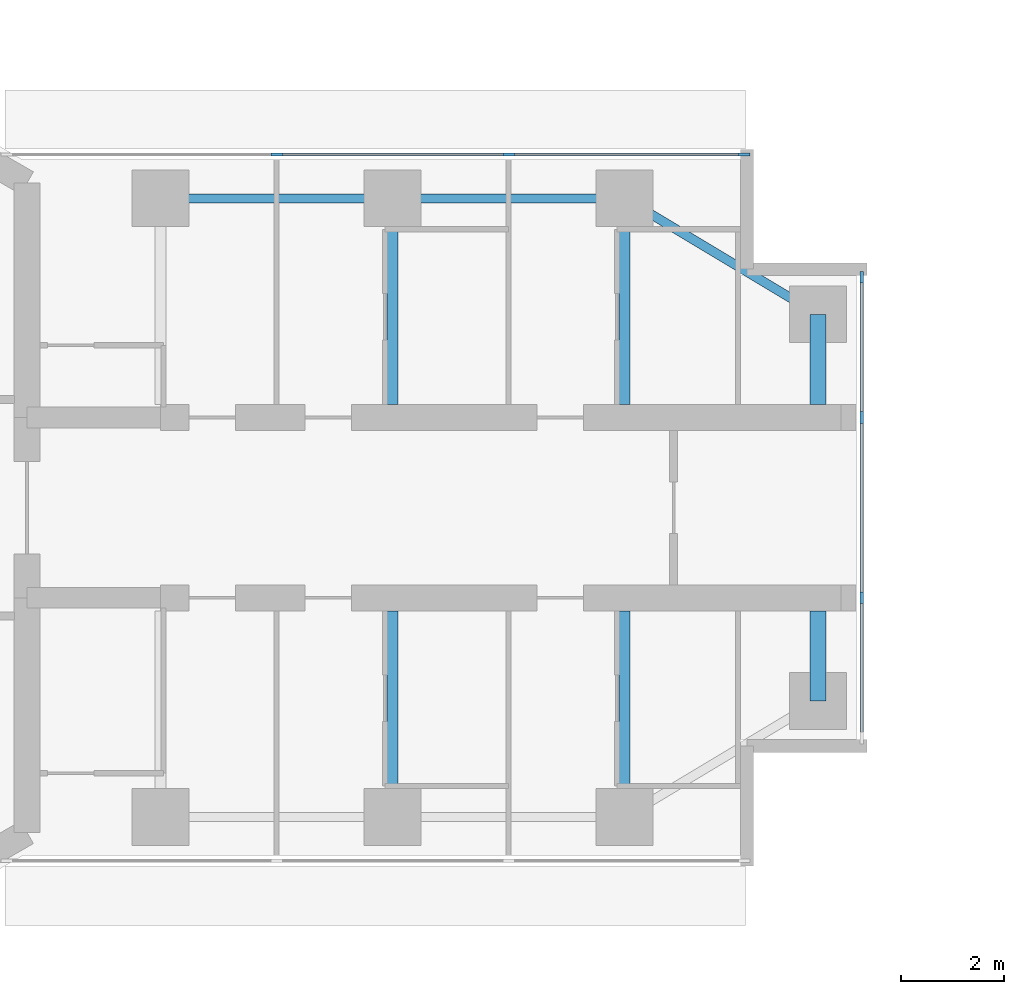
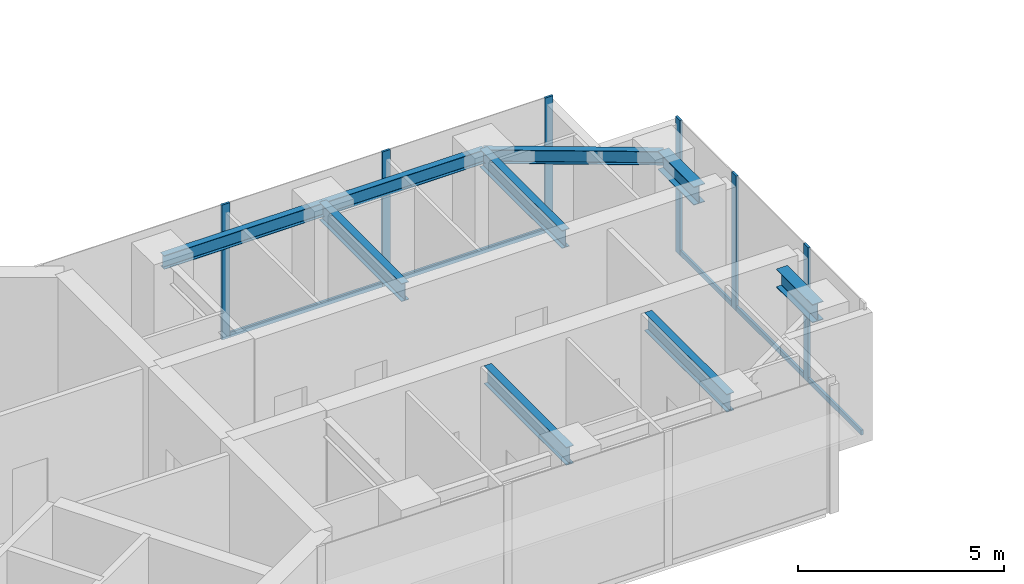
# One storey, part 7 of 17: 11 members, 9 beams, 2 elements without a shape of their own.
"""IFC4 building model written with IfcOpenShell, lengths in metres."""

from ifc_helpers import new_model, si_unit, direction, frame, origin, origin_2d, place, context, subcontext, project, spatial, rectangle, i_section, extrude, material, material_profile, profile_set, type_object, element, aggregate, save


model = new_model("IFC4")

# Units and contexts
model_context = context("Model", 3, precision=1e-05, world=origin(), true_north=direction((0.0, 1.0)))
body_context = subcontext(model_context, "Body", "Model", "MODEL_VIEW")
ifc_project = project(units=[si_unit("LENGTHUNIT", "METRE"), si_unit("AREAUNIT", "SQUARE_METRE"), si_unit("VOLUMEUNIT", "CUBIC_METRE"), si_unit("PLANEANGLEUNIT", "RADIAN"), si_unit("MASSUNIT", "GRAM", prefix="KILO")], contexts=[model_context])

# Site, building, storey
site_placement = place(None, origin())
site = spatial("IfcSite", under=ifc_project, at=site_placement, CompositionType="ELEMENT")
building_placement = place(site_placement, origin())
building = spatial("IfcBuilding", under=site, at=building_placement, Name="Upepo Twin Towers", CompositionType="ELEMENT")
storey_placement = place(building_placement, frame((0.0, 0.0, 230.5)))
storey = spatial("IfcBuildingStorey", under=building, at=storey_placement, Name="L56", CompositionType="ELEMENT", Elevation=230.5)

# Beams
ifc_material_1 = material(Name="Steel S355", Category="steel")
ifc_material_profile_1 = material_profile(ifc_material_1, i_section(OverallWidth=0.177978515625, OverallDepth=0.406494140625, WebThickness=0.0078125, FlangeThickness=0.0126953125, FilletRadius=0.01025390625, at=origin_2d()), Name="UB 406x178x60")
ifc_profile_set_1 = profile_set([ifc_material_profile_1], Name="Steel S355")
beam_type_1 = type_object("IfcBeamType", Name="Beam UB 406x178x60", PredefinedType="BEAM", material=ifc_profile_set_1)
for number, where, z_axis, x_axis, name in (
    (1, (13.5, 6.0, 3.5966796875), (1.0, 0.0, 0.0), (0.0, 1.0, 0.0), "T1 edge beam AL 13.5-18.0"),
    (2, (18.0, 6.0, 3.5966796875), (1.0, 0.0, 0.0), (0.0, 1.0, 0.0), "T1 edge beam AL 18.0-22.5"),
):
    element("IfcBeam", number, at=place(storey_placement, frame(where, z_axis=z_axis, x_axis=x_axis)), inside=storey, type_object=beam_type_1, Name=name, PredefinedType="BEAM", context=body_context, shape_type="SweptSolid", body=[
        extrude(i_section(OverallWidth=0.177978515625, OverallDepth=0.406494140625, WebThickness=0.0078125, FlangeThickness=0.0126953125, FilletRadius=0.01025390625, at=origin_2d()), origin(), (0.0, 0.0, 1.0), 4.5),
    ])
beam_placement = place(storey_placement, frame((22.5, 6.0, 3.5966796875), z_axis=(0.857492925713, -0.514495755428, 0.0), x_axis=(0.514495755428, 0.857492925713, 0.0)))
element("IfcBeam", 3, at=beam_placement, inside=storey, type_object=beam_type_1, Name="T1 nose edge beam AL", PredefinedType="BEAM", context=body_context, shape_type="SweptSolid", body=[
    extrude(i_section(OverallWidth=0.177978515625, OverallDepth=0.406494140625, WebThickness=0.0078125, FlangeThickness=0.0126953125, FilletRadius=0.01025390625, at=origin_2d()), origin(), (0.0, 0.0, 1.0), 4.373291015625),
])
ifc_material_2 = material(Name="Steel S355", Category="steel")
ifc_material_profile_2 = material_profile(ifc_material_2, i_section(OverallWidth=0.209228515625, OverallDepth=0.533203125, WebThickness=0.010009765625, FlangeThickness=0.015625, FilletRadius=0.0126953125, at=origin_2d()), Name="UB 533x210x92")
ifc_profile_set_2 = profile_set([ifc_material_profile_2], Name="Steel S355")
beam_type_2 = type_object("IfcBeamType", Name="Beam UB 533x210x92", PredefinedType="BEAM", material=ifc_profile_set_2)
for number, where, z_axis, x_axis, name in (
    (4, (18.0, 6.0, 3.533447265625), (0.0, -1.0, 0.0), (1.0, 0.0, 0.0), "T1 girder AL at 18.0"),
    (5, (22.5, 6.0, 3.533447265625), (0.0, -1.0, 0.0), (1.0, 0.0, 0.0), "T1 girder AL at 22.5"),
    (6, (18.0, -6.0, 3.533447265625), (0.0, 1.0, 0.0), (-1.0, 0.0, 0.0), "T1 girder AR at 18.0"),
    (7, (22.5, -6.0, 3.533447265625), (0.0, 1.0, 0.0), (-1.0, 0.0, 0.0), "T1 girder AR at 22.5"),
):
    element("IfcBeam", number, at=place(storey_placement, frame(where, z_axis=z_axis, x_axis=x_axis)), inside=storey, type_object=beam_type_2, Name=name, PredefinedType="BEAM", context=body_context, shape_type="SweptSolid", body=[
        extrude(i_section(OverallWidth=0.209228515625, OverallDepth=0.533203125, WebThickness=0.010009765625, FlangeThickness=0.015625, FilletRadius=0.0126953125, at=origin_2d()), origin(), (0.0, 0.0, 1.0), 4.0),
    ])
ifc_material_3 = material(Name="Steel S355", Category="steel")
ifc_material_profile_3 = material_profile(ifc_material_3, i_section(OverallWidth=0.31201171875, OverallDepth=0.54345703125, WebThickness=0.0126953125, FlangeThickness=0.020263671875, FilletRadius=0.0126953125, at=origin_2d()), Name="UB 533x312x150")
ifc_profile_set_3 = profile_set([ifc_material_profile_3], Name="Steel S355")
beam_type_3 = type_object("IfcBeamType", Name="Beam UB 533x312x150", PredefinedType="BEAM", material=ifc_profile_set_3)
for number, where, z_axis, x_axis, name in (
    (8, (26.25, 3.75, 3.5283203125), (0.0, -1.0, 0.0), (1.0, 0.0, 0.0), "T1 nose beam AL"),
    (9, (26.25, -3.75, 3.5283203125), (0.0, 1.0, 0.0), (-1.0, 0.0, 0.0), "T1 nose beam AR"),
):
    element("IfcBeam", number, at=place(storey_placement, frame(where, z_axis=z_axis, x_axis=x_axis)), inside=storey, type_object=beam_type_3, Name=name, PredefinedType="BEAM", context=body_context, shape_type="SweptSolid", body=[
        extrude(i_section(OverallWidth=0.31201171875, OverallDepth=0.54345703125, WebThickness=0.0126953125, FlangeThickness=0.020263671875, FilletRadius=0.0126953125, at=origin_2d()), origin(), (0.0, 0.0, 1.0), 1.75),
    ])

# Curtain wall, members
ifc_material_4 = material(Name="Aluminium and fritted glass", Category="aluminium")
curtain_wall_type = type_object("IfcCurtainWallType", Name="Tower curtain wall TW3, fritted glass", PredefinedType="NOTDEFINED", material=ifc_material_4)
curtain_wall_1_placement = place(storey_placement, origin())
curtain_wall_1 = element("IfcCurtainWall", 10, at=curtain_wall_1_placement, inside=storey, type_object=curtain_wall_type, Name="T1 L56 wing A flank L curtain wall", PredefinedType="NOTDEFINED")
ifc_material_5 = material(Name="Aluminium mullion", Category="aluminium")
ifc_material_profile_4 = material_profile(ifc_material_5, rectangle(XDim=0.06494140625, YDim=0.22509765625, at=origin_2d()), Name="MULLION 65x225")
ifc_profile_set_4 = profile_set([ifc_material_profile_4], Name="Aluminium mullion")
member_type_1 = type_object("IfcMemberType", Name="Mullion 65x225 TW3", PredefinedType="MULLION", material=ifc_profile_set_4)
member_1_placement = place(storey_placement, frame((15.75, 6.85009765625, 0.0), z_axis=(0.0, 0.0, 1.0), x_axis=(0.0, 1.0, 0.0)))
member_1 = element("IfcMember", 11, at=member_1_placement, type_object=member_type_1, Name="T1 L56 wing A flank L curtain wall mullion 2", PredefinedType="MULLION", context=body_context, shape_type="SweptSolid", body=[
    extrude(rectangle(XDim=0.06494140625, YDim=0.22509765625, at=origin_2d()), origin(), (0.0, 0.0, 1.0), 4.0),
])
member_2_placement = place(storey_placement, frame((20.25, 6.85009765625, 0.0), z_axis=(0.0, 0.0, 1.0), x_axis=(0.0, 1.0, 0.0)))
member_2 = element("IfcMember", 12, at=member_2_placement, type_object=member_type_1, Name="T1 L56 wing A flank L curtain wall mullion 3", PredefinedType="MULLION", context=body_context, shape_type="SweptSolid", body=[
    extrude(rectangle(XDim=0.06494140625, YDim=0.22509765625, at=origin_2d()), origin(), (0.0, 0.0, 1.0), 4.0),
])
member_3_placement = place(storey_placement, frame((24.8173828125, 6.85009765625, 0.0), z_axis=(0.0, 0.0, 1.0), x_axis=(0.0, 1.0, 0.0)))
member_3 = element("IfcMember", 13, at=member_3_placement, type_object=member_type_1, Name="T1 L56 wing A flank L curtain wall mullion 4", PredefinedType="MULLION", context=body_context, shape_type="SweptSolid", body=[
    extrude(rectangle(XDim=0.06494140625, YDim=0.22509765625, at=origin_2d()), origin(), (0.0, 0.0, 1.0), 4.0),
])

curtain_wall_2_placement = place(storey_placement, origin())
curtain_wall_2 = element("IfcCurtainWall", 14, at=curtain_wall_2_placement, inside=storey, type_object=curtain_wall_type, Name="T1 L56 wing A nose curtain wall", PredefinedType="NOTDEFINED")
member_4_placement = place(storey_placement, frame((27.10009765625, -1.75, 0.0), z_axis=(0.0, 0.0, 1.0), x_axis=(-1.0, 0.0, 0.0)))
member_4 = element("IfcMember", 15, at=member_4_placement, type_object=member_type_1, Name="T1 L56 wing A nose curtain wall mullion 2", PredefinedType="MULLION", context=body_context, shape_type="SweptSolid", body=[
    extrude(rectangle(XDim=0.06494140625, YDim=0.22509765625, at=origin_2d()), origin(), (0.0, 0.0, 1.0), 4.0),
])
member_5_placement = place(storey_placement, frame((27.10009765625, 1.75, 0.0), z_axis=(0.0, 0.0, 1.0), x_axis=(-1.0, 0.0, 0.0)))
member_5 = element("IfcMember", 16, at=member_5_placement, type_object=member_type_1, Name="T1 L56 wing A nose curtain wall mullion 3", PredefinedType="MULLION", context=body_context, shape_type="SweptSolid", body=[
    extrude(rectangle(XDim=0.06494140625, YDim=0.22509765625, at=origin_2d()), origin(), (0.0, 0.0, 1.0), 4.0),
])
member_6_placement = place(storey_placement, frame((27.10009765625, 4.467529296875, 0.0), z_axis=(0.0, 0.0, 1.0), x_axis=(-1.0, 0.0, 0.0)))
member_6 = element("IfcMember", 17, at=member_6_placement, type_object=member_type_1, Name="T1 L56 wing A nose curtain wall mullion 4", PredefinedType="MULLION", context=body_context, shape_type="SweptSolid", body=[
    extrude(rectangle(XDim=0.06494140625, YDim=0.22509765625, at=origin_2d()), origin(), (0.0, 0.0, 1.0), 4.0),
])

# Member
ifc_material_6 = material(Name="Aluminium transom", Category="aluminium")
ifc_material_profile_5 = material_profile(ifc_material_6, rectangle(XDim=0.06494140625, YDim=0.14990234375, at=origin_2d()), Name="TRANSOM 65x150")
ifc_profile_set_5 = profile_set([ifc_material_profile_5], Name="Aluminium transom")
member_type_2 = type_object("IfcMemberType", Name="Transom 65x150 TW3", PredefinedType="USERDEFINED", material=ifc_profile_set_5)
member_7_placement = place(storey_placement, frame((15.782470703125, 6.85009765625, 0.074951171875), z_axis=(1.0, 0.0, 0.0), x_axis=(0.0, 1.0, 0.0)))
member_7 = element("IfcMember", 18, at=member_7_placement, type_object=member_type_2, Name="T1 L56 wing A flank L curtain wall transom 2", ObjectType="TRANSOM", PredefinedType="USERDEFINED", context=body_context, shape_type="SweptSolid", body=[
    extrude(rectangle(XDim=0.06494140625, YDim=0.14990234375, at=origin_2d()), origin(), (0.0, 0.0, 1.0), 4.43505859375),
])

member_8_placement = place(storey_placement, frame((20.282470703125, 6.85009765625, 0.074951171875), z_axis=(1.0, 0.0, 0.0), x_axis=(0.0, 1.0, 0.0)))
member_8 = element("IfcMember", 19, at=member_8_placement, type_object=member_type_2, Name="T1 L56 wing A flank L curtain wall transom 3", ObjectType="TRANSOM", PredefinedType="USERDEFINED", context=body_context, shape_type="SweptSolid", body=[
    extrude(rectangle(XDim=0.06494140625, YDim=0.14990234375, at=origin_2d()), origin(), (0.0, 0.0, 1.0), 4.50244140625),
])

aggregate(curtain_wall_1, [member_1, member_2, member_3, member_7, member_8])

member_9_placement = place(storey_placement, frame((27.10009765625, -4.43505859375, 0.074951171875), z_axis=(0.0, 1.0, 0.0), x_axis=(-1.0, 0.0, 0.0)))
member_9 = element("IfcMember", 20, at=member_9_placement, type_object=member_type_2, Name="T1 L56 wing A nose curtain wall transom 1", ObjectType="TRANSOM", PredefinedType="USERDEFINED", context=body_context, shape_type="SweptSolid", body=[
    extrude(rectangle(XDim=0.06494140625, YDim=0.14990234375, at=origin_2d()), origin(), (0.0, 0.0, 1.0), 2.652587890625),
])

member_10_placement = place(storey_placement, frame((27.10009765625, -1.717529296875, 0.074951171875), z_axis=(0.0, 1.0, 0.0), x_axis=(-1.0, 0.0, 0.0)))
member_10 = element("IfcMember", 21, at=member_10_placement, type_object=member_type_2, Name="T1 L56 wing A nose curtain wall transom 2", ObjectType="TRANSOM", PredefinedType="USERDEFINED", context=body_context, shape_type="SweptSolid", body=[
    extrude(rectangle(XDim=0.06494140625, YDim=0.14990234375, at=origin_2d()), origin(), (0.0, 0.0, 1.0), 3.43505859375),
])

member_11_placement = place(storey_placement, frame((27.10009765625, 1.782470703125, 0.074951171875), z_axis=(0.0, 1.0, 0.0), x_axis=(-1.0, 0.0, 0.0)))
member_11 = element("IfcMember", 22, at=member_11_placement, type_object=member_type_2, Name="T1 L56 wing A nose curtain wall transom 3", ObjectType="TRANSOM", PredefinedType="USERDEFINED", context=body_context, shape_type="SweptSolid", body=[
    extrude(rectangle(XDim=0.06494140625, YDim=0.14990234375, at=origin_2d()), origin(), (0.0, 0.0, 1.0), 2.652587890625),
])

aggregate(curtain_wall_2, [member_4, member_5, member_6, member_9, member_10, member_11])

save(model, "model.ifc")
